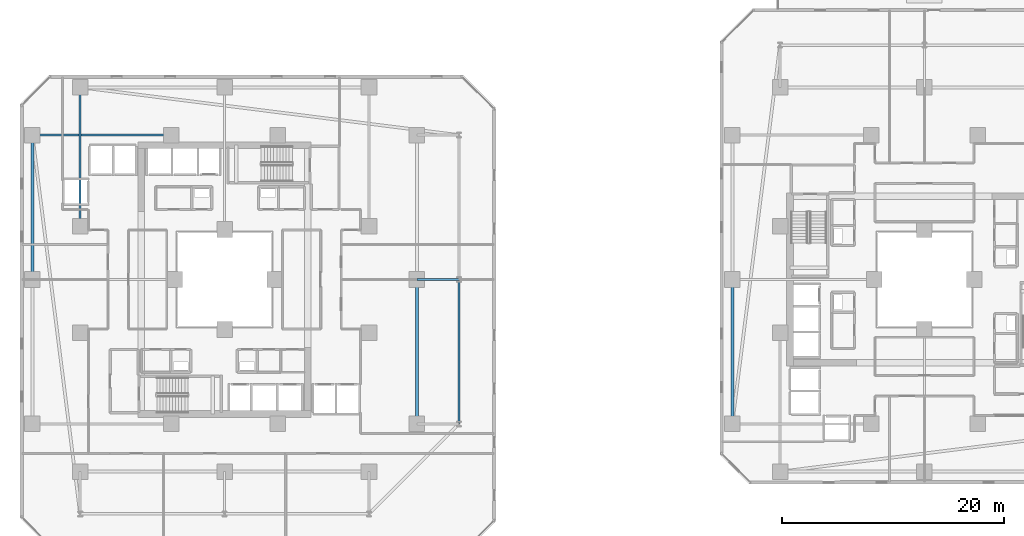
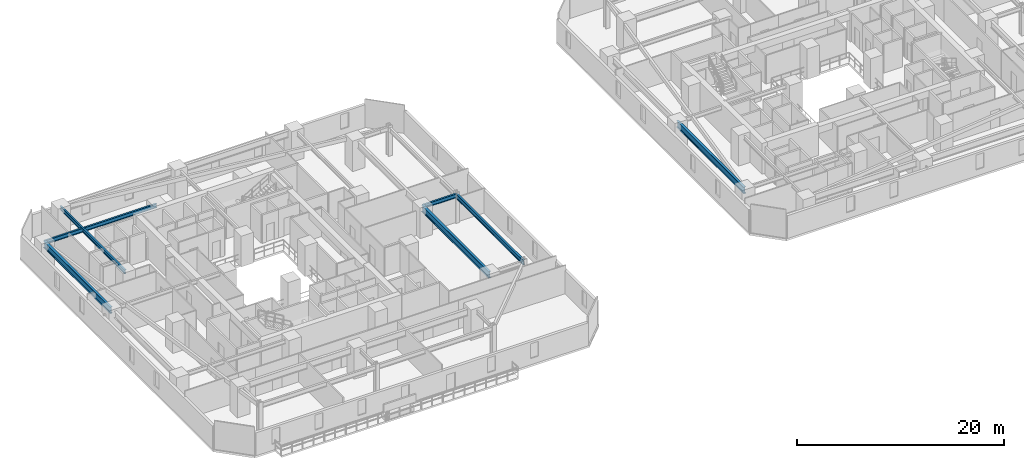
# One storey, part 7 of 35: 7 beams.
"""IFC4 building model written with IfcOpenShell, lengths in metres."""

from ifc_helpers import new_model, si_unit, direction, frame, origin, origin_2d, place, context, subcontext, project, spatial, i_section, extrude, material, material_profile, profile_set, type_object, element, save


model = new_model("IFC4")

# Units and contexts
model_context = context("Model", 3, precision=1e-05, world=origin(), true_north=direction((0.0, 1.0)))
body_context = subcontext(model_context, "Body", "Model", "MODEL_VIEW")
ifc_project = project(units=[si_unit("LENGTHUNIT", "METRE"), si_unit("AREAUNIT", "SQUARE_METRE"), si_unit("VOLUMEUNIT", "CUBIC_METRE"), si_unit("PLANEANGLEUNIT", "RADIAN"), si_unit("MASSUNIT", "GRAM", prefix="KILO")], contexts=[model_context])

# Site, building, storey
site_placement = place(None, origin())
site = spatial("IfcSite", under=ifc_project, at=site_placement, CompositionType="ELEMENT")
building_placement = place(site_placement, origin())
building = spatial("IfcBuilding", under=site, at=building_placement, Name="Thornwick Lancets Civic Towers", CompositionType="ELEMENT")
storey_placement = place(building_placement, frame((0.0, 0.0, 64.5)))
storey = spatial("IfcBuildingStorey", under=building, at=storey_placement, Name="L16", CompositionType="ELEMENT", Elevation=64.5)

# Beams
ifc_material = material(Name="Steel S355JR", Category="steel")
ifc_material_profile_1 = material_profile(ifc_material, i_section(OverallWidth=0.2119140625, OverallDepth=0.54443359375, WebThickness=0.0126953125, FlangeThickness=0.021240234375, FilletRadius=0.0126953125, at=origin_2d()), Name="UKB 533x210x122")
ifc_profile_set_1 = profile_set([ifc_material_profile_1], Name="Steel S355JR")
beam_type_1 = type_object("IfcBeamType", Name="BM_EDGE_533_122", PredefinedType="SPANDREL", material=ifc_profile_set_1)
beam_1_placement = place(storey_placement, frame((46.60009765625, 14.0, 3.087646484375), z_axis=(0.0, 1.0, 0.0), x_axis=(-1.0, 0.0, 0.0)))
element("IfcBeam", 1, at=beam_1_placement, inside=storey, type_object=beam_type_1, Name="BM-EDGE-L16-A-S1-1", PredefinedType="SPANDREL", context=body_context, shape_type="SweptSolid", body=[
    extrude(i_section(OverallWidth=0.2119140625, OverallDepth=0.54443359375, WebThickness=0.0126953125, FlangeThickness=0.021240234375, FilletRadius=0.0126953125, at=origin_2d()), origin(), (0.0, 0.0, 1.0), 13.0),
])
ifc_material_profile_2 = material_profile(ifc_material, i_section(OverallWidth=0.26806640625, OverallDepth=0.769775390625, WebThickness=0.015625, FlangeThickness=0.025390625, FilletRadius=0.0166015625, at=origin_2d()), Name="UKB 762x267x197")
ifc_profile_set_2 = profile_set([ifc_material_profile_2], Name="Steel S355JR")
beam_type_2 = type_object("IfcBeamType", Name="BM_GIRD_762_197", PredefinedType="BEAM", material=ifc_profile_set_2)
beam_2_placement = place(storey_placement, frame((42.800048828125, 14.0, 2.97509765625), z_axis=(0.0, 1.0, 0.0), x_axis=(-1.0, 0.0, 0.0)))
element("IfcBeam", 2, at=beam_2_placement, inside=storey, type_object=beam_type_2, Name="BM-SPINE-L16-A-3-4", PredefinedType="BEAM", context=body_context, shape_type="SweptSolid", body=[
    extrude(i_section(OverallWidth=0.26806640625, OverallDepth=0.769775390625, WebThickness=0.015625, FlangeThickness=0.025390625, FilletRadius=0.0166015625, at=origin_2d()), origin(), (0.0, 0.0, 1.0), 13.0),
])
beam_3_placement = place(storey_placement, frame((8.199951171875, 27.080078125, 2.97509765625), z_axis=(0.0, 1.0, 0.0), x_axis=(-1.0, 0.0, 0.0)))
element("IfcBeam", 3, at=beam_3_placement, inside=storey, type_object=beam_type_2, Name="BM-SPINE-L16-A-10-11", PredefinedType="BEAM", context=body_context, shape_type="SweptSolid", body=[
    extrude(i_section(OverallWidth=0.26806640625, OverallDepth=0.769775390625, WebThickness=0.015625, FlangeThickness=0.025390625, FilletRadius=0.0166015625, at=origin_2d()), origin(), (0.0, 0.0, 1.0), 12.919921875),
])
beam_4_placement = place(storey_placement, frame((71.199951171875, 14.0, 2.97509765625), z_axis=(0.0, 1.0, 0.0), x_axis=(-1.0, 0.0, 0.0)))
element("IfcBeam", 4, at=beam_4_placement, inside=storey, type_object=beam_type_2, Name="BM-SPINE-L16-B-6-7", PredefinedType="BEAM", context=body_context, shape_type="SweptSolid", body=[
    extrude(i_section(OverallWidth=0.26806640625, OverallDepth=0.769775390625, WebThickness=0.015625, FlangeThickness=0.025390625, FilletRadius=0.0166015625, at=origin_2d()), origin(), (0.0, 0.0, 1.0), 13.0),
])
ifc_material_profile_3 = material_profile(ifc_material, i_section(OverallWidth=0.19287109375, OverallDepth=0.46728515625, WebThickness=0.011474609375, FlangeThickness=0.01953125, FilletRadius=0.01025390625, at=origin_2d()), Name="UKB 457x191x98")
ifc_profile_set_3 = profile_set([ifc_material_profile_3], Name="Steel S355JR")
beam_type_3 = type_object("IfcBeamType", Name="BM_JOIST_457_98", PredefinedType="JOIST", material=ifc_profile_set_3)
beam_5_placement = place(storey_placement, frame((42.800048828125, 27.0, 3.12646484375), z_axis=(1.0, 0.0, 0.0), x_axis=(0.0, 1.0, 0.0)))
element("IfcBeam", 5, at=beam_5_placement, inside=storey, type_object=beam_type_3, Name="BM-RAD-L16-A05", PredefinedType="JOIST", context=body_context, shape_type="SweptSolid", body=[
    extrude(i_section(OverallWidth=0.19287109375, OverallDepth=0.46728515625, WebThickness=0.011474609375, FlangeThickness=0.01953125, FilletRadius=0.01025390625, at=origin_2d()), origin(), (0.0, 0.0, 1.0), 3.800048828125),
])
for number, where, z_axis, x_axis, name in (
    (6, (12.5, 31.800048828125, 3.12646484375), (0.0, 1.0, 0.0), (-1.0, 0.0, 0.0), "BM-RADIN-L16-A07"),
    (7, (20.699951171875, 40.0, 3.12646484375), (-1.0, 0.0, 0.0), (0.0, -1.0, 0.0), "BM-RADIN-L16-A12"),
):
    element("IfcBeam", number, at=place(storey_placement, frame(where, z_axis=z_axis, x_axis=x_axis)), inside=storey, type_object=beam_type_3, Name=name, PredefinedType="JOIST", context=body_context, shape_type="SweptSolid", body=[
        extrude(i_section(OverallWidth=0.19287109375, OverallDepth=0.46728515625, WebThickness=0.011474609375, FlangeThickness=0.01953125, FilletRadius=0.01025390625, at=origin_2d()), origin(), (0.0, 0.0, 1.0), 12.5),
    ])

save(model, "model.ifc")
